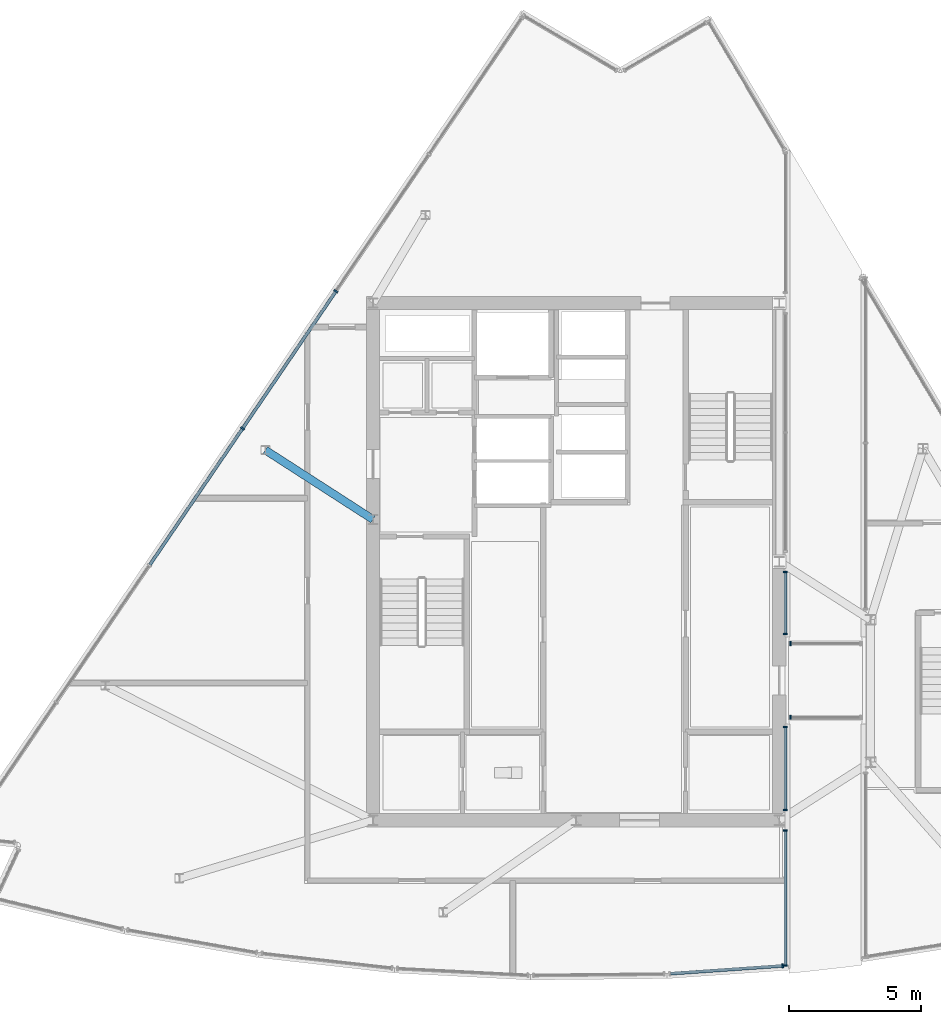
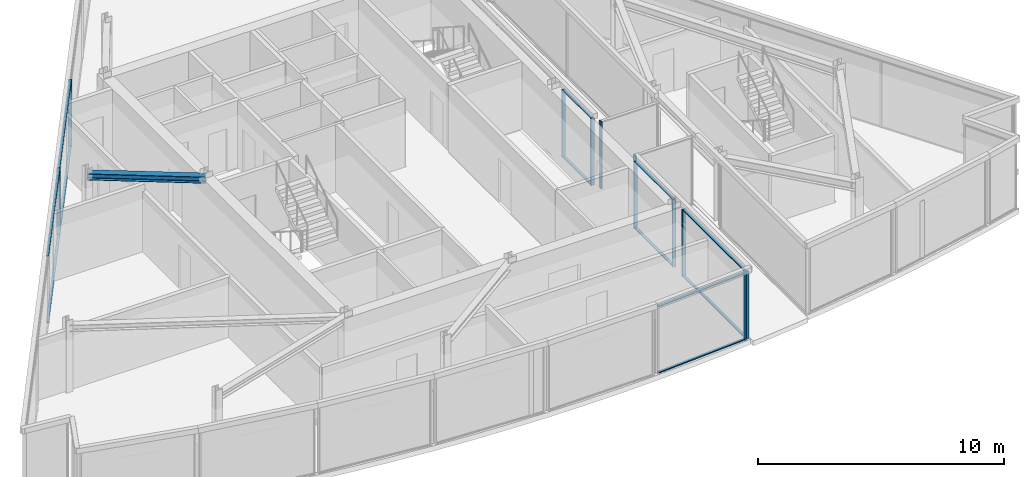
# One storey, part 4 of 15: 23 members, 1 beam, 7 elements without a shape of their own.
"""IFC4 building model written with IfcOpenShell, lengths in metres."""

from ifc_helpers import new_model, si_unit, direction, frame, origin, origin_2d, place, context, subcontext, project, spatial, rectangle, i_section, extrude, material, material_profile, profile_set, type_object, element, aggregate, save


model = new_model("IFC4")

# Units and contexts
model_context = context("Model", 3, precision=1e-05, world=origin(), true_north=direction((0.0, 1.0)))
body_context = subcontext(model_context, "Body", "Model", "MODEL_VIEW")
ifc_project = project(units=[si_unit("LENGTHUNIT", "METRE"), si_unit("AREAUNIT", "SQUARE_METRE"), si_unit("VOLUMEUNIT", "CUBIC_METRE"), si_unit("PLANEANGLEUNIT", "RADIAN"), si_unit("MASSUNIT", "GRAM", prefix="KILO")], contexts=[model_context])

# Site, building, storey
site_placement = place(None, origin())
site = spatial("IfcSite", under=ifc_project, at=site_placement, CompositionType="ELEMENT")
building_placement = place(site_placement, origin())
building = spatial("IfcBuilding", under=site, at=building_placement, Name="Savorim Split Tower", CompositionType="ELEMENT")
storey_placement = place(building_placement, frame((0.0, 0.0, 297.60009765625)))
storey = spatial("IfcBuildingStorey", under=building, at=storey_placement, Name="Crown L79 Plant", CompositionType="ELEMENT", Elevation=297.60009765625)

# Beam
ifc_material_1 = material(Name="Steel S355", Category="steel")
ifc_material_profile_1 = material_profile(ifc_material_1, i_section(OverallWidth=0.300048828125, OverallDepth=0.320068359375, WebThickness=0.011474609375, FlangeThickness=0.0205078125, FilletRadius=0.027099609375, at=origin_2d()), Name="HEB 320")
ifc_profile_set_1 = profile_set([ifc_material_profile_1], Name="Steel S355")
beam_type = type_object("IfcBeamType", Name="BM-PRI-HEB320", PredefinedType="BEAM", material=ifc_profile_set_1)
beam_placement = place(storey_placement, frame((-11.775390625, 4.626708984375, 3.179931640625), z_axis=(0.840541482681, -0.541747188172, 0.0), x_axis=(0.541747188172, 0.840541482681, 0.0)))
element("IfcBeam", 1, at=beam_placement, inside=storey, type_object=beam_type, Name="Crown L79 Plant West Crown Beam WBG-4", PredefinedType="BEAM", context=body_context, shape_type="SweptSolid", body=[
    extrude(i_section(OverallWidth=0.300048828125, OverallDepth=0.320068359375, WebThickness=0.011474609375, FlangeThickness=0.0205078125, FilletRadius=0.027099609375, at=origin_2d()), origin(), (0.0, 0.0, 1.0), 4.8486328125),
])

# Curtain wall, members
ifc_material_2 = material(Name="Dark Ceramic-Fritted Insulated Glass", Category="glass")
curtain_wall_type = type_object("IfcCurtainWallType", Name="CW-CROWN-CREST", PredefinedType="NOTDEFINED", material=ifc_material_2)
curtain_wall_1_placement = place(storey_placement, origin())
curtain_wall_1 = element("IfcCurtainWall", 2, at=curtain_wall_1_placement, inside=storey, type_object=curtain_wall_type, Name="Crown L79 Plant Curtain Wall CW-Crown-L79-Plant-W1AS1", PredefinedType="NOTDEFINED")
ifc_material_3 = material(Name="Charcoal Anodised Aluminium", Category="aluminium")
ifc_material_profile_2 = material_profile(ifc_material_3, rectangle(XDim=0.159912109375, YDim=0.06005859375, at=origin_2d()), Name="ALU-M 160x60")
ifc_profile_set_2 = profile_set([ifc_material_profile_2], Name="Charcoal Anodised Aluminium")
member_type_1 = type_object("IfcMemberType", Name="CWM-160x60", PredefinedType="MULLION", material=ifc_profile_set_2)
member_1_placement = place(storey_placement, frame((7.929931640625, -14.91259765625, 0.0), z_axis=(0.0, 0.0, 1.0), x_axis=(-1.0, 0.0, 0.0)))
member_1 = element("IfcMember", 3, at=member_1_placement, type_object=member_type_1, Name="CW-07 mullion 1", PredefinedType="MULLION", context=body_context, shape_type="SweptSolid", body=[
    extrude(rectangle(XDim=0.159912109375, YDim=0.06005859375, at=origin_2d()), origin(), (0.0, 0.0, 1.0), 3.33984375),
])
member_2_placement = place(storey_placement, frame((7.929931640625, -9.7958984375, 0.0), z_axis=(0.0, 0.0, 1.0), x_axis=(-1.0, 0.0, 0.0)))
member_2 = element("IfcMember", 4, at=member_2_placement, type_object=member_type_1, Name="CW-07 mullion 2", PredefinedType="MULLION", context=body_context, shape_type="SweptSolid", body=[
    extrude(rectangle(XDim=0.159912109375, YDim=0.06005859375, at=origin_2d()), origin(), (0.0, 0.0, 1.0), 3.33984375),
])

curtain_wall_2_placement = place(storey_placement, origin())
curtain_wall_2 = element("IfcCurtainWall", 5, at=curtain_wall_2_placement, inside=storey, type_object=curtain_wall_type, Name="Crown L79 Plant Curtain Wall CW-Crown-L79-Plant-W1AS2", PredefinedType="NOTDEFINED")
member_3_placement = place(storey_placement, frame((7.929931640625, -9.00390625, 0.0), z_axis=(0.0, 0.0, 1.0), x_axis=(-1.0, 0.0, 0.0)))
member_3 = element("IfcMember", 6, at=member_3_placement, type_object=member_type_1, Name="CW-07 mullion 1", PredefinedType="MULLION", context=body_context, shape_type="SweptSolid", body=[
    extrude(rectangle(XDim=0.159912109375, YDim=0.06005859375, at=origin_2d()), origin(), (0.0, 0.0, 1.0), 3.33984375),
])
member_4_placement = place(storey_placement, frame((7.929931640625, -5.860107421875, 0.0), z_axis=(0.0, 0.0, 1.0), x_axis=(-1.0, 0.0, 0.0)))
member_4 = element("IfcMember", 7, at=member_4_placement, type_object=member_type_1, Name="CW-07 mullion 2", PredefinedType="MULLION", context=body_context, shape_type="SweptSolid", body=[
    extrude(rectangle(XDim=0.159912109375, YDim=0.06005859375, at=origin_2d()), origin(), (0.0, 0.0, 1.0), 3.33984375),
])

curtain_wall_3_placement = place(storey_placement, origin())
curtain_wall_3 = element("IfcCurtainWall", 8, at=curtain_wall_3_placement, inside=storey, type_object=curtain_wall_type, Name="Crown L79 Plant Curtain Wall CW-Crown-L79-Plant-W1BS1", PredefinedType="NOTDEFINED")
member_5_placement = place(storey_placement, frame((7.929931640625, -2.340087890625, 0.0), z_axis=(0.0, 0.0, 1.0), x_axis=(-1.0, 0.0, 0.0)))
member_5 = element("IfcMember", 9, at=member_5_placement, type_object=member_type_1, Name="CW-07 mullion 1", PredefinedType="MULLION", context=body_context, shape_type="SweptSolid", body=[
    extrude(rectangle(XDim=0.159912109375, YDim=0.06005859375, at=origin_2d()), origin(), (0.0, 0.0, 1.0), 3.33984375),
])
member_6_placement = place(storey_placement, frame((7.929931640625, 0.00390625, 0.0), z_axis=(0.0, 0.0, 1.0), x_axis=(-1.0, 0.0, 0.0)))
member_6 = element("IfcMember", 10, at=member_6_placement, type_object=member_type_1, Name="CW-07 mullion 2", PredefinedType="MULLION", context=body_context, shape_type="SweptSolid", body=[
    extrude(rectangle(XDim=0.159912109375, YDim=0.06005859375, at=origin_2d()), origin(), (0.0, 0.0, 1.0), 3.33984375),
])

curtain_wall_4_placement = place(storey_placement, origin())
curtain_wall_4 = element("IfcCurtainWall", 11, at=curtain_wall_4_placement, inside=storey, type_object=curtain_wall_type, Name="Crown L79 Plant Curtain Wall CW-Crown-L79-Plant-W5A", PredefinedType="NOTDEFINED")
member_7_placement = place(storey_placement, frame((-9.105224609375, 10.645263671875, 0.0), z_axis=(0.0, 0.0, 1.0), x_axis=(0.82682067148, -0.56246562314, 0.0)))
member_7 = element("IfcMember", 12, at=member_7_placement, type_object=member_type_1, Name="CW-07 mullion 3", PredefinedType="MULLION", context=body_context, shape_type="SweptSolid", body=[
    extrude(rectangle(XDim=0.159912109375, YDim=0.06005859375, at=origin_2d()), origin(), (0.0, 0.0, 1.0), 3.33984375),
])
member_8_placement = place(storey_placement, frame((-12.637939453125, 5.451904296875, 0.0), z_axis=(0.0, 0.0, 1.0), x_axis=(0.82682067148, -0.56246562314, 0.0)))
member_8 = element("IfcMember", 13, at=member_8_placement, type_object=member_type_1, Name="CW-07 mullion 4", PredefinedType="MULLION", context=body_context, shape_type="SweptSolid", body=[
    extrude(rectangle(XDim=0.159912109375, YDim=0.06005859375, at=origin_2d()), origin(), (0.0, 0.0, 1.0), 3.33984375),
])

# Curtain wall, member
curtain_wall_5_placement = place(storey_placement, origin())
curtain_wall_5 = element("IfcCurtainWall", 14, at=curtain_wall_5_placement, inside=storey, type_object=curtain_wall_type, Name="Crown L79 Plant Curtain Wall CW-Crown-L79-Plant-W13A", PredefinedType="NOTDEFINED")
member_9_placement = place(storey_placement, frame((7.827392578125, -14.91796875, 0.0), z_axis=(0.0, 0.0, 1.0), x_axis=(-0.069081475947, 0.997611021231, 0.0)))
member_9 = element("IfcMember", 15, at=member_9_placement, type_object=member_type_1, Name="CW-07 mullion 2", PredefinedType="MULLION", context=body_context, shape_type="SweptSolid", body=[
    extrude(rectangle(XDim=0.159912109375, YDim=0.06005859375, at=origin_2d()), origin(), (0.0, 0.0, 1.0), 3.33984375),
])

curtain_wall_6_placement = place(storey_placement, origin())
curtain_wall_6 = element("IfcCurtainWall", 16, at=curtain_wall_6_placement, inside=storey, type_object=curtain_wall_type, Name="Crown L79 Plant Curtain Wall CW-Crown-L79-BR-S", PredefinedType="NOTDEFINED")
member_10_placement = place(storey_placement, frame((8.1298828125, -5.5, 0.0), z_axis=(0.0, 0.0, 1.0), x_axis=(0.0, 1.0, 0.0)))
member_10 = element("IfcMember", 17, at=member_10_placement, type_object=member_type_1, Name="CW-07 mullion 1", PredefinedType="MULLION", context=body_context, shape_type="SweptSolid", body=[
    extrude(rectangle(XDim=0.159912109375, YDim=0.06005859375, at=origin_2d()), origin(), (0.0, 0.0, 1.0), 3.33984375),
])
aggregate(curtain_wall_6, [member_10])

curtain_wall_7_placement = place(storey_placement, origin())
curtain_wall_7 = element("IfcCurtainWall", 18, at=curtain_wall_7_placement, inside=storey, type_object=curtain_wall_type, Name="Crown L79 Plant Curtain Wall CW-Crown-L79-BR-N", PredefinedType="NOTDEFINED")
member_11_placement = place(storey_placement, frame((8.1298828125, -2.699951171875, 0.0), z_axis=(0.0, 0.0, 1.0), x_axis=(0.0, -1.0, 0.0)))
member_11 = element("IfcMember", 19, at=member_11_placement, type_object=member_type_1, Name="CW-07 mullion 2", PredefinedType="MULLION", context=body_context, shape_type="SweptSolid", body=[
    extrude(rectangle(XDim=0.159912109375, YDim=0.06005859375, at=origin_2d()), origin(), (0.0, 0.0, 1.0), 3.33984375),
])
aggregate(curtain_wall_7, [member_11])

# Member
ifc_material_profile_3 = material_profile(ifc_material_3, rectangle(XDim=0.1201171875, YDim=0.050048828125, at=origin_2d()), Name="ALU-T 120x50")
ifc_profile_set_3 = profile_set([ifc_material_profile_3], Name="Charcoal Anodised Aluminium")
member_type_2 = type_object("IfcMemberType", Name="CWT-120x50", PredefinedType="USERDEFINED", material=ifc_profile_set_3)
member_12_placement = place(storey_placement, frame((7.929931640625, -14.8828125, 0.02490234375), z_axis=(0.0, 1.0, 0.0), x_axis=(-1.0, 0.0, 0.0)))
member_12 = element("IfcMember", 20, at=member_12_placement, type_object=member_type_2, Name="CW-07 transom 1.1", ObjectType="TRANSOM", PredefinedType="USERDEFINED", context=body_context, shape_type="SweptSolid", body=[
    extrude(rectangle(XDim=0.1201171875, YDim=0.050048828125, at=origin_2d()), origin(), (0.0, 0.0, 1.0), 5.056884765625),
])

member_13_placement = place(storey_placement, frame((7.929931640625, -14.8828125, 3.31494140625), z_axis=(0.0, 1.0, 0.0), x_axis=(-1.0, 0.0, 0.0)))
member_13 = element("IfcMember", 21, at=member_13_placement, type_object=member_type_2, Name="CW-07 transom 1.2", ObjectType="TRANSOM", PredefinedType="USERDEFINED", context=body_context, shape_type="SweptSolid", body=[
    extrude(rectangle(XDim=0.1201171875, YDim=0.050048828125, at=origin_2d()), origin(), (0.0, 0.0, 1.0), 5.056884765625),
])

aggregate(curtain_wall_1, [member_1, member_2, member_12, member_13])

member_14_placement = place(storey_placement, frame((7.929931640625, -8.97412109375, 0.02490234375), z_axis=(0.0, 1.0, 0.0), x_axis=(-1.0, 0.0, 0.0)))
member_14 = element("IfcMember", 22, at=member_14_placement, type_object=member_type_2, Name="CW-07 transom 1.1", ObjectType="TRANSOM", PredefinedType="USERDEFINED", context=body_context, shape_type="SweptSolid", body=[
    extrude(rectangle(XDim=0.1201171875, YDim=0.050048828125, at=origin_2d()), origin(), (0.0, 0.0, 1.0), 3.084228515625),
])

member_15_placement = place(storey_placement, frame((7.929931640625, -8.97412109375, 3.31494140625), z_axis=(0.0, 1.0, 0.0), x_axis=(-1.0, 0.0, 0.0)))
member_15 = element("IfcMember", 23, at=member_15_placement, type_object=member_type_2, Name="CW-07 transom 1.2", ObjectType="TRANSOM", PredefinedType="USERDEFINED", context=body_context, shape_type="SweptSolid", body=[
    extrude(rectangle(XDim=0.1201171875, YDim=0.050048828125, at=origin_2d()), origin(), (0.0, 0.0, 1.0), 3.084228515625),
])

aggregate(curtain_wall_2, [member_3, member_4, member_14, member_15])

member_16_placement = place(storey_placement, frame((7.929931640625, -2.31005859375, 0.02490234375), z_axis=(0.0, 1.0, 0.0), x_axis=(-1.0, 0.0, 0.0)))
member_16 = element("IfcMember", 24, at=member_16_placement, type_object=member_type_2, Name="CW-07 transom 1.1", ObjectType="TRANSOM", PredefinedType="USERDEFINED", context=body_context, shape_type="SweptSolid", body=[
    extrude(rectangle(XDim=0.1201171875, YDim=0.050048828125, at=origin_2d()), origin(), (0.0, 0.0, 1.0), 2.2841796875),
])

member_17_placement = place(storey_placement, frame((7.929931640625, -2.31005859375, 3.31494140625), z_axis=(0.0, 1.0, 0.0), x_axis=(-1.0, 0.0, 0.0)))
member_17 = element("IfcMember", 25, at=member_17_placement, type_object=member_type_2, Name="CW-07 transom 1.2", ObjectType="TRANSOM", PredefinedType="USERDEFINED", context=body_context, shape_type="SweptSolid", body=[
    extrude(rectangle(XDim=0.1201171875, YDim=0.050048828125, at=origin_2d()), origin(), (0.0, 0.0, 1.0), 2.2841796875),
])

aggregate(curtain_wall_3, [member_5, member_6, member_16, member_17])

member_18_placement = place(storey_placement, frame((-9.1220703125, 10.620361328125, 0.02490234375), z_axis=(-0.562464588518, -0.826821375306, 0.0), x_axis=(0.826821375306, -0.562464588518, 0.0)))
member_18 = element("IfcMember", 26, at=member_18_placement, type_object=member_type_2, Name="CW-07 transom 3.1", ObjectType="TRANSOM", PredefinedType="USERDEFINED", context=body_context, shape_type="SweptSolid", body=[
    extrude(rectangle(XDim=0.1201171875, YDim=0.050048828125, at=origin_2d()), origin(), (0.0, 0.0, 1.0), 6.220947265625),
])

member_19_placement = place(storey_placement, frame((-9.1220703125, 10.620361328125, 3.31494140625), z_axis=(-0.562464588518, -0.826821375306, 0.0), x_axis=(0.826821375306, -0.562464588518, 0.0)))
member_19 = element("IfcMember", 27, at=member_19_placement, type_object=member_type_2, Name="CW-07 transom 3.2", ObjectType="TRANSOM", PredefinedType="USERDEFINED", context=body_context, shape_type="SweptSolid", body=[
    extrude(rectangle(XDim=0.1201171875, YDim=0.050048828125, at=origin_2d()), origin(), (0.0, 0.0, 1.0), 6.220947265625),
])

member_20_placement = place(storey_placement, frame((-12.65478515625, 5.42724609375, 0.02490234375), z_axis=(-0.562446337611, -0.826833790618, 0.0), x_axis=(0.826833790618, -0.562446337611, 0.0)))
member_20 = element("IfcMember", 28, at=member_20_placement, type_object=member_type_2, Name="CW-07 transom 4.1", ObjectType="TRANSOM", PredefinedType="USERDEFINED", context=body_context, shape_type="SweptSolid", body=[
    extrude(rectangle(XDim=0.1201171875, YDim=0.050048828125, at=origin_2d()), origin(), (0.0, 0.0, 1.0), 6.22119140625),
])

member_21_placement = place(storey_placement, frame((-12.65478515625, 5.42724609375, 3.31494140625), z_axis=(-0.562446337611, -0.826833790618, 0.0), x_axis=(0.826833790618, -0.562446337611, 0.0)))
member_21 = element("IfcMember", 29, at=member_21_placement, type_object=member_type_2, Name="CW-07 transom 4.2", ObjectType="TRANSOM", PredefinedType="USERDEFINED", context=body_context, shape_type="SweptSolid", body=[
    extrude(rectangle(XDim=0.1201171875, YDim=0.050048828125, at=origin_2d()), origin(), (0.0, 0.0, 1.0), 6.22119140625),
])

aggregate(curtain_wall_4, [member_7, member_8, member_18, member_19, member_20, member_21])

member_22_placement = place(storey_placement, frame((3.578857421875, -15.212158203125, 0.02490234375), z_axis=(0.997609100132, 0.069109213083, 0.0), x_axis=(-0.069109213083, 0.997609100132, 0.0)))
member_22 = element("IfcMember", 30, at=member_22_placement, type_object=member_type_2, Name="CW-07 transom 1.1", ObjectType="TRANSOM", PredefinedType="USERDEFINED", context=body_context, shape_type="SweptSolid", body=[
    extrude(rectangle(XDim=0.1201171875, YDim=0.050048828125, at=origin_2d()), origin(), (0.0, 0.0, 1.0), 4.228515625),
])

member_23_placement = place(storey_placement, frame((3.578857421875, -15.212158203125, 3.31494140625), z_axis=(0.997609100132, 0.069109213083, 0.0), x_axis=(-0.069109213083, 0.997609100132, 0.0)))
member_23 = element("IfcMember", 31, at=member_23_placement, type_object=member_type_2, Name="CW-07 transom 1.2", ObjectType="TRANSOM", PredefinedType="USERDEFINED", context=body_context, shape_type="SweptSolid", body=[
    extrude(rectangle(XDim=0.1201171875, YDim=0.050048828125, at=origin_2d()), origin(), (0.0, 0.0, 1.0), 4.228515625),
])

aggregate(curtain_wall_5, [member_9, member_22, member_23])

save(model, "model.ifc")
